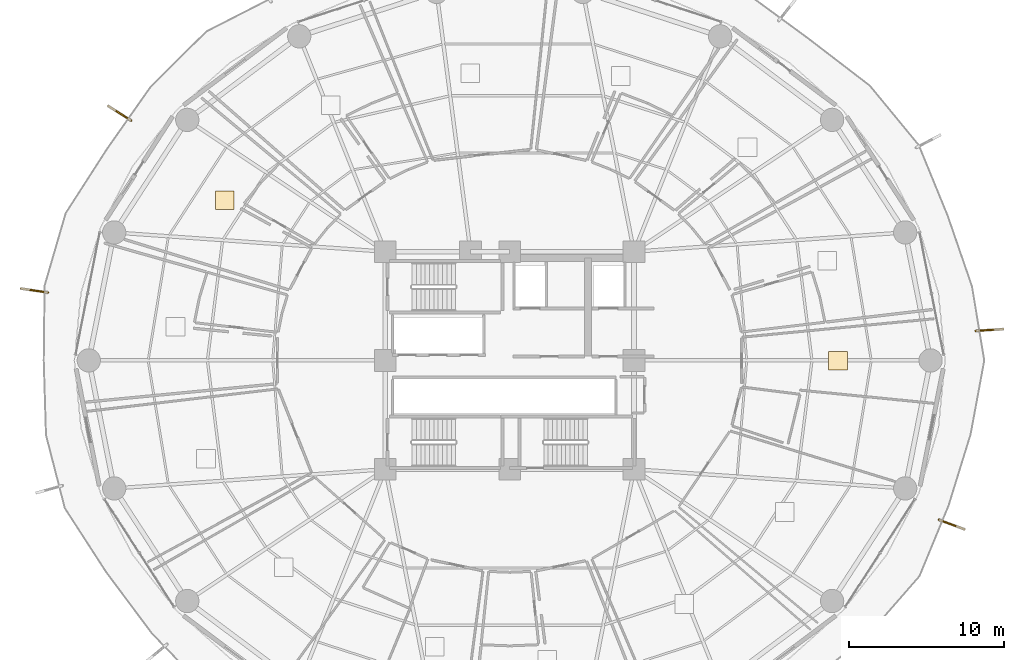
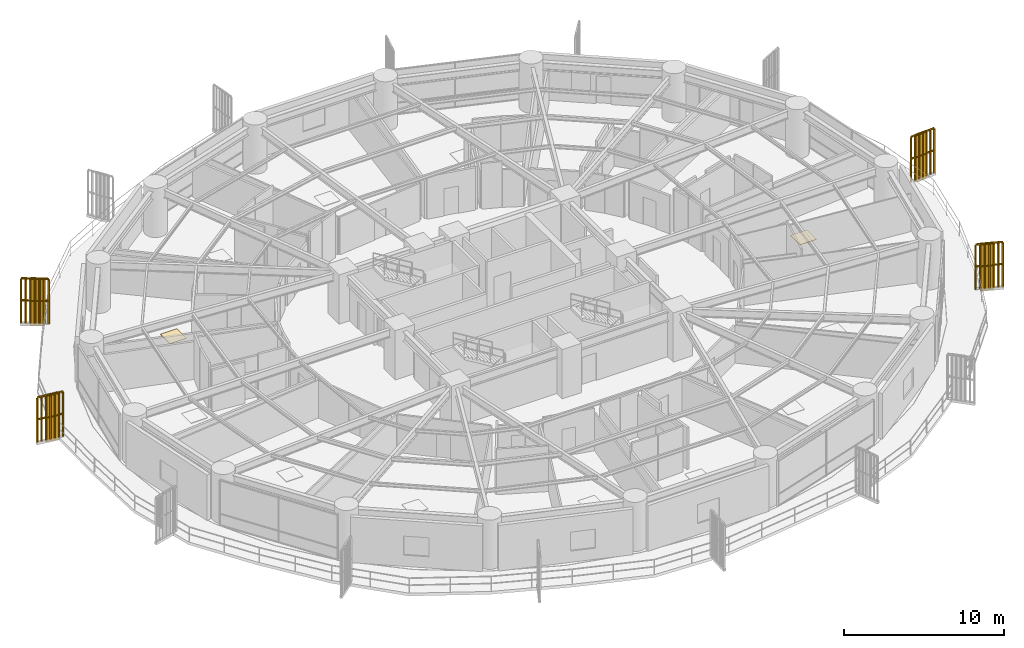
# One storey, part 30 of 32: 4 railings, 4 shading devices, 2 coverings.
"""IFC4 building model written with IfcOpenShell, lengths in metres."""

from ifc_helpers import new_model, si_unit, direction, frame, origin, origin_2d, place, context, subcontext, project, spatial, polyline, rectangle, outline, extrude, source, transform, mapped, material, layer, layer_set, type_object, element, save


model = new_model("IFC4")

# Units and contexts
model_context = context("Model", 3, precision=1e-05, world=origin(), true_north=direction((0.0, 1.0)))
body_context = subcontext(model_context, "Body", "Model", "MODEL_VIEW")
ifc_project = project(units=[si_unit("LENGTHUNIT", "METRE"), si_unit("AREAUNIT", "SQUARE_METRE"), si_unit("VOLUMEUNIT", "CUBIC_METRE"), si_unit("PLANEANGLEUNIT", "RADIAN"), si_unit("MASSUNIT", "GRAM", prefix="KILO")], contexts=[model_context])

# Site, building, storey
site_placement = place(None, origin())
site = spatial("IfcSite", under=ifc_project, at=site_placement, CompositionType="ELEMENT")
building_placement = place(site_placement, origin())
building = spatial("IfcBuilding", under=site, at=building_placement, Name="Kelanora Arch Commons", CompositionType="ELEMENT")
storey_placement = place(building_placement, frame((0.0, 0.0, 52.5)))
storey = spatial("IfcBuildingStorey", under=building, at=storey_placement, Name="L13", CompositionType="ELEMENT", Elevation=52.5)

# Railings
ifc_material_1 = material(Name="Anodised bronze vertical shading fin rib assembly")
railing_type = type_object("IfcRailingType", Name="RAIL-FIN-BRZ", PredefinedType="BALUSTRADE", material=ifc_material_1)
railing_1_placement = place(storey_placement, frame((49.643310546875, 73.4375, -0.02001953125)))
element("IfcRailing", 1, at=railing_1_placement, inside=storey, type_object=railing_type, Name="Sweeping Bronze Vertical Fin Blade L13-05", PredefinedType="BALUSTRADE", context=body_context, shape_type="SweptSolid", body=[
    extrude(outline(polyline([(0.06982421875, 0.0), (0.034912109375, 0.060546875), (-0.034912109375, 0.060546875), (-0.06982421875, 0.0), (-0.034912109375, -0.060546875), (0.034912109375, -0.060546875), (0.06982421875, 0.0)])), frame((0.0, 0.0, 3.419921875), z_axis=(-0.844595741171, 0.535404551713, 0.0), x_axis=(-0.535404551713, -0.844595741171, 0.0)), (0.0, 0.0, 1.0), 1.72998046875),
    extrude(outline(polyline([(0.06982421875, 0.0), (0.034912109375, 0.060546875), (-0.034912109375, 0.060546875), (-0.06982421875, 0.0), (-0.034912109375, -0.060546875), (0.034912109375, -0.060546875), (0.06982421875, 0.0)])), frame((0.0, 0.0, 1.7451171875), z_axis=(-0.844595741171, 0.535404551713, 0.0), x_axis=(-0.535404551713, -0.844595741171, 0.0)), (0.0, 0.0, 1.0), 1.72998046875),
    extrude(outline(polyline([(0.080078125, 0.0), (0.0400390625, 0.0693359375), (-0.0400390625, 0.0693359375), (-0.080078125, 0.0), (-0.0400390625, -0.0693359375), (0.0400390625, -0.0693359375), (0.080078125, 0.0)])), origin(), (0.0, 0.0, 1.0), 3.35009765625),
    extrude(outline(polyline([(0.080078125, 0.0), (0.0400390625, 0.0693359375), (-0.0400390625, 0.0693359375), (-0.080078125, 0.0), (-0.0400390625, -0.0693359375), (0.0400390625, -0.0693359375), (0.080078125, 0.0)])), frame((-0.24365234375, 0.154296875, 0.0)), (0.0, 0.0, 1.0), 3.35009765625),
    extrude(outline(polyline([(0.080078125, 0.0), (0.0400390625, 0.0693359375), (-0.0400390625, 0.0693359375), (-0.080078125, 0.0), (-0.0400390625, -0.0693359375), (0.0400390625, -0.0693359375), (0.080078125, 0.0)])), frame((-0.487060546875, 0.308837890625, 0.0)), (0.0, 0.0, 1.0), 3.35009765625),
    extrude(outline(polyline([(0.080078125, 0.0), (0.0400390625, 0.0693359375), (-0.0400390625, 0.0693359375), (-0.080078125, 0.0), (-0.0400390625, -0.0693359375), (0.0400390625, -0.0693359375), (0.080078125, 0.0)])), frame((-0.73046875, 0.463134765625, 0.0)), (0.0, 0.0, 1.0), 3.35009765625),
    extrude(outline(polyline([(0.080078125, 0.0), (0.0400390625, 0.0693359375), (-0.0400390625, 0.0693359375), (-0.080078125, 0.0), (-0.0400390625, -0.0693359375), (0.0400390625, -0.0693359375), (0.080078125, 0.0)])), frame((-0.97412109375, 0.617431640625, 0.0)), (0.0, 0.0, 1.0), 3.35009765625),
    extrude(outline(polyline([(0.080078125, 0.0), (0.0400390625, 0.0693359375), (-0.0400390625, 0.0693359375), (-0.080078125, 0.0), (-0.0400390625, -0.0693359375), (0.0400390625, -0.0693359375), (0.080078125, 0.0)])), frame((-1.2177734375, 0.77197265625, 0.0)), (0.0, 0.0, 1.0), 3.35009765625),
    extrude(outline(polyline([(0.080078125, 0.0), (0.0400390625, 0.0693359375), (-0.0400390625, 0.0693359375), (-0.080078125, 0.0), (-0.0400390625, -0.0693359375), (0.0400390625, -0.0693359375), (0.080078125, 0.0)])), frame((-1.461181640625, 0.92626953125, 0.0)), (0.0, 0.0, 1.0), 3.35009765625),
])
railing_2_placement = place(storey_placement, frame((44.2841796875, 62.37060546875, -0.02001953125)))
element("IfcRailing", 2, at=railing_2_placement, inside=storey, type_object=railing_type, Name="Sweeping Bronze Vertical Fin Blade L13-06", PredefinedType="BALUSTRADE", context=body_context, shape_type="SweptSolid", body=[
    extrude(outline(polyline([(0.06982421875, 0.0), (0.034912109375, 0.060546875), (-0.034912109375, 0.060546875), (-0.06982421875, 0.0), (-0.034912109375, -0.060546875), (0.034912109375, -0.060546875), (0.06982421875, 0.0)])), frame((0.0, 0.0, 3.419921875), z_axis=(-0.989356745137, 0.145510243115, 0.0), x_axis=(-0.145510243115, -0.989356745137, 0.0)), (0.0, 0.0, 1.0), 1.729736328125),
    extrude(outline(polyline([(0.06982421875, 0.0), (0.034912109375, 0.060546875), (-0.034912109375, 0.060546875), (-0.06982421875, 0.0), (-0.034912109375, -0.060546875), (0.034912109375, -0.060546875), (0.06982421875, 0.0)])), frame((0.0, 0.0, 1.7451171875), z_axis=(-0.989356745137, 0.145510243115, 0.0), x_axis=(-0.145510243115, -0.989356745137, 0.0)), (0.0, 0.0, 1.0), 1.729736328125),
    extrude(outline(polyline([(0.080078125, 0.0), (0.0400390625, 0.0693359375), (-0.0400390625, 0.0693359375), (-0.080078125, 0.0), (-0.0400390625, -0.0693359375), (0.0400390625, -0.0693359375), (0.080078125, 0.0)])), origin(), (0.0, 0.0, 1.0), 3.35009765625),
    extrude(outline(polyline([(0.080078125, 0.0), (0.0400390625, 0.0693359375), (-0.0400390625, 0.0693359375), (-0.080078125, 0.0), (-0.0400390625, -0.0693359375), (0.0400390625, -0.0693359375), (0.080078125, 0.0)])), frame((-0.28515625, 0.0419921875, 0.0)), (0.0, 0.0, 1.0), 3.35009765625),
    extrude(outline(polyline([(0.080078125, 0.0), (0.0400390625, 0.0693359375), (-0.0400390625, 0.0693359375), (-0.080078125, 0.0), (-0.0400390625, -0.0693359375), (0.0400390625, -0.0693359375), (0.080078125, 0.0)])), frame((-0.570556640625, 0.083984375, 0.0)), (0.0, 0.0, 1.0), 3.35009765625),
    extrude(outline(polyline([(0.080078125, 0.0), (0.0400390625, 0.0693359375), (-0.0400390625, 0.0693359375), (-0.080078125, 0.0), (-0.0400390625, -0.0693359375), (0.0400390625, -0.0693359375), (0.080078125, 0.0)])), frame((-0.855712890625, 0.1259765625, 0.0)), (0.0, 0.0, 1.0), 3.35009765625),
    extrude(outline(polyline([(0.080078125, 0.0), (0.0400390625, 0.0693359375), (-0.0400390625, 0.0693359375), (-0.080078125, 0.0), (-0.0400390625, -0.0693359375), (0.0400390625, -0.0693359375), (0.080078125, 0.0)])), frame((-1.140869140625, 0.167724609375, 0.0)), (0.0, 0.0, 1.0), 3.35009765625),
    extrude(outline(polyline([(0.080078125, 0.0), (0.0400390625, 0.0693359375), (-0.0400390625, 0.0693359375), (-0.080078125, 0.0), (-0.0400390625, -0.0693359375), (0.0400390625, -0.0693359375), (0.080078125, 0.0)])), frame((-1.42626953125, 0.209716796875, 0.0)), (0.0, 0.0, 1.0), 3.35009765625),
    extrude(outline(polyline([(0.080078125, 0.0), (0.0400390625, 0.0693359375), (-0.0400390625, 0.0693359375), (-0.080078125, 0.0), (-0.0400390625, -0.0693359375), (0.0400390625, -0.0693359375), (0.080078125, 0.0)])), frame((-1.71142578125, 0.251708984375, 0.0)), (0.0, 0.0, 1.0), 3.35009765625),
])
railing_3_placement = place(storey_placement, frame((101.620849609375, 47.74609375, -0.02001953125)))
element("IfcRailing", 3, at=railing_3_placement, inside=storey, type_object=railing_type, Name="Sweeping Bronze Vertical Fin Blade L13-13", PredefinedType="BALUSTRADE", context=body_context, shape_type="SweptSolid", body=[
    extrude(outline(polyline([(0.06982421875, 0.0), (0.034912109375, 0.060546875), (-0.034912109375, 0.060546875), (-0.06982421875, 0.0), (-0.034912109375, -0.060546875), (0.034912109375, -0.060546875), (0.06982421875, 0.0)])), frame((0.0, 0.0, 3.419921875), z_axis=(0.937443694936, -0.348136925396, 0.0), x_axis=(0.348136925396, 0.937443694936, 0.0)), (0.0, 0.0, 1.0), 1.72998046875),
    extrude(outline(polyline([(0.06982421875, 0.0), (0.034912109375, 0.060546875), (-0.034912109375, 0.060546875), (-0.06982421875, 0.0), (-0.034912109375, -0.060546875), (0.034912109375, -0.060546875), (0.06982421875, 0.0)])), frame((0.0, 0.0, 1.7451171875), z_axis=(0.937443694936, -0.348136925396, 0.0), x_axis=(0.348136925396, 0.937443694936, 0.0)), (0.0, 0.0, 1.0), 1.72998046875),
    extrude(outline(polyline([(0.080078125, 0.0), (0.0400390625, 0.0693359375), (-0.0400390625, 0.0693359375), (-0.080078125, 0.0), (-0.0400390625, -0.0693359375), (0.0400390625, -0.0693359375), (0.080078125, 0.0)])), origin(), (0.0, 0.0, 1.0), 3.35009765625),
    extrude(outline(polyline([(0.080078125, 0.0), (0.0400390625, 0.0693359375), (-0.0400390625, 0.0693359375), (-0.080078125, 0.0), (-0.0400390625, -0.0693359375), (0.0400390625, -0.0693359375), (0.080078125, 0.0)])), frame((0.270263671875, -0.100341796875, 0.0)), (0.0, 0.0, 1.0), 3.35009765625),
    extrude(outline(polyline([(0.080078125, 0.0), (0.0400390625, 0.0693359375), (-0.0400390625, 0.0693359375), (-0.080078125, 0.0), (-0.0400390625, -0.0693359375), (0.0400390625, -0.0693359375), (0.080078125, 0.0)])), frame((0.54052734375, -0.20068359375, 0.0)), (0.0, 0.0, 1.0), 3.35009765625),
    extrude(outline(polyline([(0.080078125, 0.0), (0.0400390625, 0.0693359375), (-0.0400390625, 0.0693359375), (-0.080078125, 0.0), (-0.0400390625, -0.0693359375), (0.0400390625, -0.0693359375), (0.080078125, 0.0)])), frame((0.81103515625, -0.30126953125, 0.0)), (0.0, 0.0, 1.0), 3.35009765625),
    extrude(outline(polyline([(0.080078125, 0.0), (0.0400390625, 0.0693359375), (-0.0400390625, 0.0693359375), (-0.080078125, 0.0), (-0.0400390625, -0.0693359375), (0.0400390625, -0.0693359375), (0.080078125, 0.0)])), frame((1.081298828125, -0.401611328125, 0.0)), (0.0, 0.0, 1.0), 3.35009765625),
    extrude(outline(polyline([(0.080078125, 0.0), (0.0400390625, 0.0693359375), (-0.0400390625, 0.0693359375), (-0.080078125, 0.0), (-0.0400390625, -0.0693359375), (0.0400390625, -0.0693359375), (0.080078125, 0.0)])), frame((1.3515625, -0.501953125, 0.0)), (0.0, 0.0, 1.0), 3.35009765625),
    extrude(outline(polyline([(0.080078125, 0.0), (0.0400390625, 0.0693359375), (-0.0400390625, 0.0693359375), (-0.080078125, 0.0), (-0.0400390625, -0.0693359375), (0.0400390625, -0.0693359375), (0.080078125, 0.0)])), frame((1.621826171875, -0.602294921875, 0.0)), (0.0, 0.0, 1.0), 3.35009765625),
])
railing_4_placement = place(storey_placement, frame((103.99755859375, 59.904541015625, -0.02001953125)))
element("IfcRailing", 4, at=railing_4_placement, inside=storey, type_object=railing_type, Name="Sweeping Bronze Vertical Fin Blade L13-14", PredefinedType="BALUSTRADE", context=body_context, shape_type="SweptSolid", body=[
    extrude(outline(polyline([(0.06982421875, 0.0), (0.034912109375, 0.060546875), (-0.034912109375, 0.060546875), (-0.06982421875, 0.0), (-0.034912109375, -0.060546875), (0.034912109375, -0.060546875), (0.06982421875, 0.0)])), frame((0.0, 0.0, 3.419921875), z_axis=(0.997981660836, 0.063502792333, 0.0), x_axis=(-0.063502792333, 0.997981660836, 0.0)), (0.0, 0.0, 1.0), 1.72998046875),
    extrude(outline(polyline([(0.06982421875, 0.0), (0.034912109375, 0.060546875), (-0.034912109375, 0.060546875), (-0.06982421875, 0.0), (-0.034912109375, -0.060546875), (0.034912109375, -0.060546875), (0.06982421875, 0.0)])), frame((0.0, 0.0, 1.7451171875), z_axis=(0.997981660836, 0.063502792333, 0.0), x_axis=(-0.063502792333, 0.997981660836, 0.0)), (0.0, 0.0, 1.0), 1.72998046875),
    extrude(outline(polyline([(0.080078125, 0.0), (0.0400390625, 0.0693359375), (-0.0400390625, 0.0693359375), (-0.080078125, 0.0), (-0.0400390625, -0.0693359375), (0.0400390625, -0.0693359375), (0.080078125, 0.0)])), origin(), (0.0, 0.0, 1.0), 3.35009765625),
    extrude(outline(polyline([(0.080078125, 0.0), (0.0400390625, 0.0693359375), (-0.0400390625, 0.0693359375), (-0.080078125, 0.0), (-0.0400390625, -0.0693359375), (0.0400390625, -0.0693359375), (0.080078125, 0.0)])), frame((0.287841796875, 0.018310546875, 0.0)), (0.0, 0.0, 1.0), 3.35009765625),
    extrude(outline(polyline([(0.080078125, 0.0), (0.0400390625, 0.0693359375), (-0.0400390625, 0.0693359375), (-0.080078125, 0.0), (-0.0400390625, -0.0693359375), (0.0400390625, -0.0693359375), (0.080078125, 0.0)])), frame((0.575439453125, 0.03662109375, 0.0)), (0.0, 0.0, 1.0), 3.35009765625),
    extrude(outline(polyline([(0.080078125, 0.0), (0.0400390625, 0.0693359375), (-0.0400390625, 0.0693359375), (-0.080078125, 0.0), (-0.0400390625, -0.0693359375), (0.0400390625, -0.0693359375), (0.080078125, 0.0)])), frame((0.86328125, 0.054931640625, 0.0)), (0.0, 0.0, 1.0), 3.35009765625),
    extrude(outline(polyline([(0.080078125, 0.0), (0.0400390625, 0.0693359375), (-0.0400390625, 0.0693359375), (-0.080078125, 0.0), (-0.0400390625, -0.0693359375), (0.0400390625, -0.0693359375), (0.080078125, 0.0)])), frame((1.151123046875, 0.0732421875, 0.0)), (0.0, 0.0, 1.0), 3.35009765625),
    extrude(outline(polyline([(0.080078125, 0.0), (0.0400390625, 0.0693359375), (-0.0400390625, 0.0693359375), (-0.080078125, 0.0), (-0.0400390625, -0.0693359375), (0.0400390625, -0.0693359375), (0.080078125, 0.0)])), frame((1.438720703125, 0.091552734375, 0.0)), (0.0, 0.0, 1.0), 3.35009765625),
    extrude(outline(polyline([(0.080078125, 0.0), (0.0400390625, 0.0693359375), (-0.0400390625, 0.0693359375), (-0.080078125, 0.0), (-0.0400390625, -0.0693359375), (0.0400390625, -0.0693359375), (0.080078125, 0.0)])), frame((1.7265625, 0.10986328125, 0.0)), (0.0, 0.0, 1.0), 3.35009765625),
])

# Shading devices
ifc_material_2 = material(Name="Terracotta ceramic-clad extruded aluminium fin", Category="masonry")
shading_device_type = type_object("IfcShadingDeviceType", Name="SHD-FIN-FLARE", PredefinedType="USERDEFINED", material=ifc_material_2)
shared_shape_1 = source(origin(), body_context, "Body", "SweptSolid", [
    extrude(rectangle(XDim=0.8798828125, YDim=0.090087890625, at=origin_2d()), origin(), (0.0, 0.0, 1.0), 3.610107421875),
])
for number, where, z_axis, x_axis, name in (
    (5, (49.03515625, 73.822998046875, -0.14013671875), (0.0, 0.0, 1.0), (-0.844608368004, 0.535384632481, 0.0), "Sweeping Terracotta Fin L13-05"),
    (6, (43.572021484375, 62.475341796875, -0.14013671875), (0.0, 0.0, 1.0), (-0.989348686247, 0.145565026779, 0.0), "Sweeping Terracotta Fin L13-06"),
    (7, (102.2958984375, 47.495361328125, -0.14013671875), (0.0, 0.0, 1.0), (0.9374643729, -0.348081239861, 0.0), "Sweeping Terracotta Fin L13-13"),
    (8, (104.716064453125, 59.9501953125, -0.14013671875), (0.0, 0.0, 1.0), (0.997993714583, 0.063313076471, 0.0), "Sweeping Terracotta Fin L13-14"),
):
    element("IfcShadingDevice", number, at=place(storey_placement, frame(where, z_axis=z_axis, x_axis=x_axis)), inside=storey, type_object=shading_device_type, Name=name, ObjectType="FIN", PredefinedType="USERDEFINED", context=body_context, shape_type="MappedRepresentation", body=[
        mapped(shared_shape_1, transform((0.0, 0.0, 0.0), scale=1.0)),
    ])

# Coverings
ifc_material_3 = material(Name="Polished local granite terrazzo flooring", Category="masonry")
ifc_layer = layer(ifc_material_3, 0.030029296875)
ifc_layer_set = layer_set([ifc_layer], Name="Polished local granite terrazzo flooring")
covering_type = type_object("IfcCoveringType", Name="COV-FLR-TER", PredefinedType="FLOORING", material=ifc_layer_set)
shared_shape_2 = source(origin(), body_context, "Body", "SweptSolid", [
    extrude(rectangle(XDim=1.199951171875, YDim=1.199951171875, at=origin_2d()), origin(), (0.0, 0.0, 1.0), 0.030029296875),
])
for number, where, z_axis, x_axis, name in (
    (9, (55.677001953125, 68.31298828125, 0.0), (0.0, 0.0, 1.0), (1.0, 0.0, 0.0), "Co-Living Studio L13-06 Terrazzo Finish"),
    (10, (95.122802734375, 57.97021484375, 0.0), (0.0, 0.0, 1.0), (1.0, 0.0, 0.0), "Quiet Reading Carrel L13-14 Terrazzo Finish"),
):
    element("IfcCovering", number, at=place(storey_placement, frame(where, z_axis=z_axis, x_axis=x_axis)), inside=storey, type_object=covering_type, Name=name, PredefinedType="FLOORING", context=body_context, shape_type="MappedRepresentation", body=[
        mapped(shared_shape_2, transform((0.0, 0.0, 0.0), scale=1.0)),
    ])

save(model, "model.ifc")
